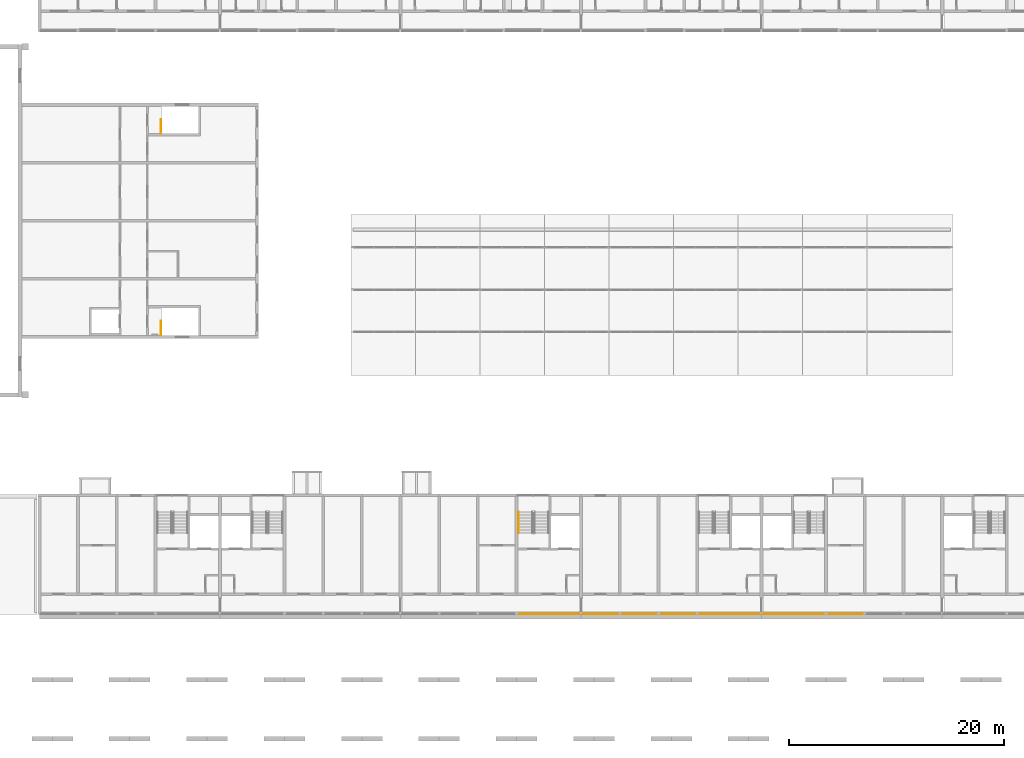
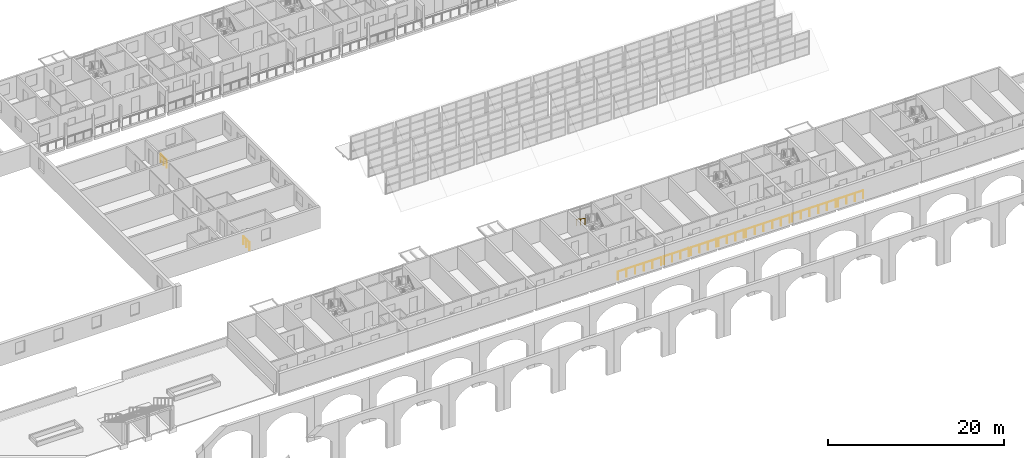
# One storey, part 114 of 122: 10 railings.
"""IFC4 building model written with IfcOpenShell, lengths in metres."""

from ifc_helpers import new_model, si_unit, direction, frame, origin, origin_2d, place, context, subcontext, project, spatial, circle, extrude, material, type_object, element, save


model = new_model("IFC4")

# Units and contexts
model_context = context("Model", 3, precision=1e-05, world=origin(), true_north=direction((0.0, 1.0)))
body_context = subcontext(model_context, "Body", "Model", "MODEL_VIEW")
ifc_project = project(units=[si_unit("LENGTHUNIT", "METRE"), si_unit("AREAUNIT", "SQUARE_METRE"), si_unit("VOLUMEUNIT", "CUBIC_METRE"), si_unit("PLANEANGLEUNIT", "RADIAN"), si_unit("MASSUNIT", "GRAM", prefix="KILO")], contexts=[model_context])

# Site, building, storey
site_placement = place(None, origin())
site = spatial("IfcSite", under=ifc_project, at=site_placement, CompositionType="ELEMENT")
building_placement = place(site_placement, origin())
building = spatial("IfcBuilding", under=site, at=building_placement, Name="Ridgestep Commons", CompositionType="ELEMENT")
storey_placement = place(building_placement, frame((0.0, 0.0, 3.0)))
storey = spatial("IfcBuildingStorey", under=building, at=storey_placement, Name="L01", CompositionType="ELEMENT", Elevation=3.0)

# Railings
ifc_material_1 = material(Name="Structural steel S355JR", Category="steel")
railing_type_1 = type_object("IfcRailingType", Name="Community stair guard 1100", PredefinedType="GUARDRAIL", material=ifc_material_1)
for number, where, name in (
    (1, (158.10009765625, 37.75, 0.0), "L01 AE-ST0 top well guard 1"),
    (2, (158.10009765625, 56.5, 0.0), "L01 AE-ST3 top well guard 1"),
):
    element("IfcRailing", number, at=place(storey_placement, frame(where)), inside=storey, type_object=railing_type_1, Name=name, PredefinedType="GUARDRAIL", context=body_context, shape_type="SweptSolid", body=[
        extrude(circle(Radius=0.02392578125, at=origin_2d()), frame((0.0, 0.0, 1.076171875), z_axis=(0.0, 1.0, 0.0), x_axis=(-1.0, 0.0, 0.0)), (0.0, 0.0, 1.0), 1.35009765625),
        extrude(circle(Radius=0.02099609375, at=origin_2d()), origin(), (0.0, 0.0, 1.0), 1.052001953125),
        extrude(circle(Radius=0.02099609375, at=origin_2d()), frame((0.0, 0.675048828125, 0.0)), (0.0, 0.0, 1.0), 1.052001953125),
        extrude(circle(Radius=0.02099609375, at=origin_2d()), frame((0.0, 1.35009765625, 0.0)), (0.0, 0.0, 1.0), 1.052001953125),
    ])
ifc_material_2 = material(Name="Structural steel S355JR galvanised", Category="steel")
railing_type_2 = type_object("IfcRailingType", Name="Passage guard 1100", PredefinedType="GUARDRAIL", material=ifc_material_2)
railing_1_placement = place(storey_placement, frame((191.345947265625, 11.830078125, 0.0)))
element("IfcRailing", 3, at=railing_1_placement, inside=storey, type_object=railing_type_2, Name="Passage guard D 01.12", PredefinedType="GUARDRAIL", context=body_context, shape_type="SweptSolid", body=[
    extrude(circle(Radius=0.02392578125, at=origin_2d()), frame((0.0, 0.0, 1.076171875), z_axis=(1.0, 0.0, 0.0), x_axis=(0.0, 1.0, 0.0)), (0.0, 0.0, 1.0), 5.68310546875),
    extrude(circle(Radius=0.02099609375, at=origin_2d()), origin(), (0.0, 0.0, 1.0), 1.052001953125),
    extrude(circle(Radius=0.02099609375, at=origin_2d()), frame((1.13671875, 0.0, 0.0)), (0.0, 0.0, 1.0), 1.052001953125),
    extrude(circle(Radius=0.02099609375, at=origin_2d()), frame((2.273193359375, 0.0, 0.0)), (0.0, 0.0, 1.0), 1.052001953125),
    extrude(circle(Radius=0.02099609375, at=origin_2d()), frame((3.409912109375, 0.0, 0.0)), (0.0, 0.0, 1.0), 1.052001953125),
    extrude(circle(Radius=0.02099609375, at=origin_2d()), frame((4.54638671875, 0.0, 0.0)), (0.0, 0.0, 1.0), 1.052001953125),
    extrude(circle(Radius=0.02099609375, at=origin_2d()), frame((5.68310546875, 0.0, 0.0)), (0.0, 0.0, 1.0), 1.052001953125),
])
railing_2_placement = place(storey_placement, frame((197.37109375, 11.830078125, 0.0)))
element("IfcRailing", 4, at=railing_2_placement, inside=storey, type_object=railing_type_2, Name="Passage guard D 01.13", PredefinedType="GUARDRAIL", context=body_context, shape_type="SweptSolid", body=[
    extrude(circle(Radius=0.02392578125, at=origin_2d()), frame((0.0, 0.0, 1.076171875), z_axis=(1.0, 0.0, 0.0), x_axis=(0.0, 1.0, 0.0)), (0.0, 0.0, 1.0), 3.282958984375),
    extrude(circle(Radius=0.02099609375, at=origin_2d()), origin(), (0.0, 0.0, 1.0), 1.052001953125),
    extrude(circle(Radius=0.02099609375, at=origin_2d()), frame((1.09423828125, 0.0, 0.0)), (0.0, 0.0, 1.0), 1.052001953125),
    extrude(circle(Radius=0.02099609375, at=origin_2d()), frame((2.188720703125, 0.0, 0.0)), (0.0, 0.0, 1.0), 1.052001953125),
    extrude(circle(Radius=0.02099609375, at=origin_2d()), frame((3.282958984375, 0.0, 0.0)), (0.0, 0.0, 1.0), 1.052001953125),
])
railing_3_placement = place(storey_placement, frame((200.946044921875, 11.830078125, 0.0)))
element("IfcRailing", 5, at=railing_3_placement, inside=storey, type_object=railing_type_2, Name="Passage guard D 01.14", PredefinedType="GUARDRAIL", context=body_context, shape_type="SweptSolid", body=[
    extrude(circle(Radius=0.02392578125, at=origin_2d()), frame((0.0, 0.0, 1.076171875), z_axis=(1.0, 0.0, 0.0), x_axis=(0.0, 1.0, 0.0)), (0.0, 0.0, 1.0), 3.307861328125),
    extrude(circle(Radius=0.02099609375, at=origin_2d()), origin(), (0.0, 0.0, 1.0), 1.052001953125),
    extrude(circle(Radius=0.02099609375, at=origin_2d()), frame((1.1025390625, 0.0, 0.0)), (0.0, 0.0, 1.0), 1.052001953125),
    extrude(circle(Radius=0.02099609375, at=origin_2d()), frame((2.205322265625, 0.0, 0.0)), (0.0, 0.0, 1.0), 1.052001953125),
    extrude(circle(Radius=0.02099609375, at=origin_2d()), frame((3.307861328125, 0.0, 0.0)), (0.0, 0.0, 1.0), 1.052001953125),
])
railing_4_placement = place(storey_placement, frame((204.5458984375, 11.830078125, 0.0)))
element("IfcRailing", 6, at=railing_4_placement, inside=storey, type_object=railing_type_2, Name="Passage guard D 01.15", PredefinedType="GUARDRAIL", context=body_context, shape_type="SweptSolid", body=[
    extrude(circle(Radius=0.02392578125, at=origin_2d()), frame((0.0, 0.0, 1.076171875), z_axis=(1.0, 0.0, 0.0), x_axis=(0.0, 1.0, 0.0)), (0.0, 0.0, 1.0), 3.30810546875),
    extrude(circle(Radius=0.02099609375, at=origin_2d()), origin(), (0.0, 0.0, 1.0), 1.052001953125),
    extrude(circle(Radius=0.02099609375, at=origin_2d()), frame((1.102783203125, 0.0, 0.0)), (0.0, 0.0, 1.0), 1.052001953125),
    extrude(circle(Radius=0.02099609375, at=origin_2d()), frame((2.205322265625, 0.0, 0.0)), (0.0, 0.0, 1.0), 1.052001953125),
    extrude(circle(Radius=0.02099609375, at=origin_2d()), frame((3.30810546875, 0.0, 0.0)), (0.0, 0.0, 1.0), 1.052001953125),
])
for number, where, name in (
    (7, (208.14599609375, 11.830078125, 0.0), "Passage guard D 01.16"),
    (8, (214.1708984375, 11.830078125, 0.0), "Passage guard D 01.17"),
):
    element("IfcRailing", number, at=place(storey_placement, frame(where)), inside=storey, type_object=railing_type_2, Name=name, PredefinedType="GUARDRAIL", context=body_context, shape_type="SweptSolid", body=[
        extrude(circle(Radius=0.02392578125, at=origin_2d()), frame((0.0, 0.0, 1.076171875), z_axis=(1.0, 0.0, 0.0), x_axis=(0.0, 1.0, 0.0)), (0.0, 0.0, 1.0), 5.68310546875),
        extrude(circle(Radius=0.02099609375, at=origin_2d()), origin(), (0.0, 0.0, 1.0), 1.052001953125),
        extrude(circle(Radius=0.02099609375, at=origin_2d()), frame((1.13671875, 0.0, 0.0)), (0.0, 0.0, 1.0), 1.052001953125),
        extrude(circle(Radius=0.02099609375, at=origin_2d()), frame((2.273193359375, 0.0, 0.0)), (0.0, 0.0, 1.0), 1.052001953125),
        extrude(circle(Radius=0.02099609375, at=origin_2d()), frame((3.409912109375, 0.0, 0.0)), (0.0, 0.0, 1.0), 1.052001953125),
        extrude(circle(Radius=0.02099609375, at=origin_2d()), frame((4.54638671875, 0.0, 0.0)), (0.0, 0.0, 1.0), 1.052001953125),
        extrude(circle(Radius=0.02099609375, at=origin_2d()), frame((5.68310546875, 0.0, 0.0)), (0.0, 0.0, 1.0), 1.052001953125),
    ])
railing_5_placement = place(storey_placement, frame((220.14599609375, 11.830078125, 0.0)))
element("IfcRailing", 9, at=railing_5_placement, inside=storey, type_object=railing_type_2, Name="Passage guard D 01.18", PredefinedType="GUARDRAIL", context=body_context, shape_type="SweptSolid", body=[
    extrude(circle(Radius=0.02392578125, at=origin_2d()), frame((0.0, 0.0, 1.076171875), z_axis=(1.0, 0.0, 0.0), x_axis=(0.0, 1.0, 0.0)), (0.0, 0.0, 1.0), 3.30810546875),
    extrude(circle(Radius=0.02099609375, at=origin_2d()), origin(), (0.0, 0.0, 1.0), 1.052001953125),
    extrude(circle(Radius=0.02099609375, at=origin_2d()), frame((1.102783203125, 0.0, 0.0)), (0.0, 0.0, 1.0), 1.052001953125),
    extrude(circle(Radius=0.02099609375, at=origin_2d()), frame((2.205322265625, 0.0, 0.0)), (0.0, 0.0, 1.0), 1.052001953125),
    extrude(circle(Radius=0.02099609375, at=origin_2d()), frame((3.30810546875, 0.0, 0.0)), (0.0, 0.0, 1.0), 1.052001953125),
])
ifc_material_3 = material(Name="Structural steel S355JR", Category="steel")
railing_type_3 = type_object("IfcRailingType", Name="Stair handrail 900", PredefinedType="HANDRAIL", material=ifc_material_3)
railing_6_placement = place(storey_placement, frame((191.375, 21.31005859375, 1.6875)))
element("IfcRailing", 10, at=railing_6_placement, inside=storey, type_object=railing_type_3, Name="L01 D3C stair handrail 2", PredefinedType="HANDRAIL", context=body_context, shape_type="SweptSolid", body=[
    extrude(circle(Radius=0.02392578125, at=origin_2d()), frame((0.0, 0.0, 0.8759765625), z_axis=(0.0, -0.830902050051, 0.556418712142), x_axis=(1.0, 0.0, 0.0)), (0.0, 0.0, 1.0), 2.35888671875),
    extrude(circle(Radius=0.02099609375, at=origin_2d()), origin(), (0.0, 0.0, 1.0), 0.851806640625),
    extrude(circle(Radius=0.02099609375, at=origin_2d()), frame((0.0, -0.97998046875, 0.65625)), (0.0, 0.0, 1.0), 0.851806640625),
    extrude(circle(Radius=0.02099609375, at=origin_2d()), frame((0.0, -1.9599609375, 1.3125)), (0.0, 0.0, 1.0), 0.851806640625),
])

save(model, "model.ifc")
